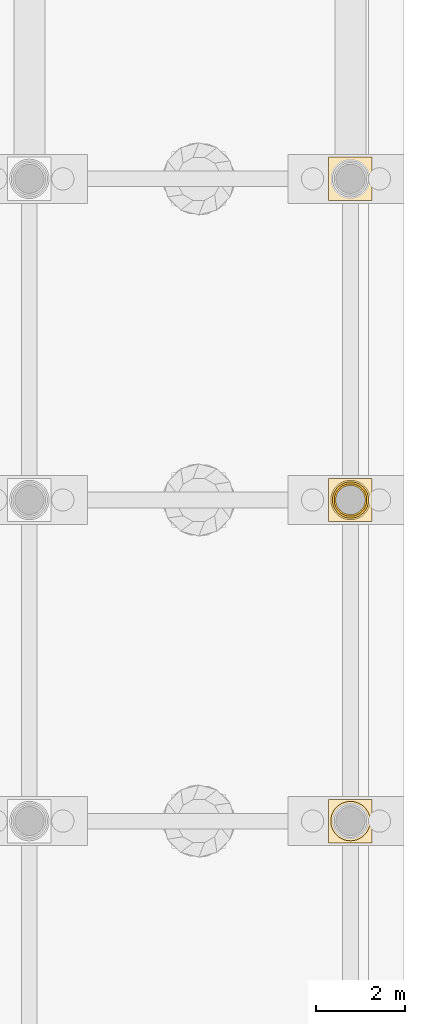
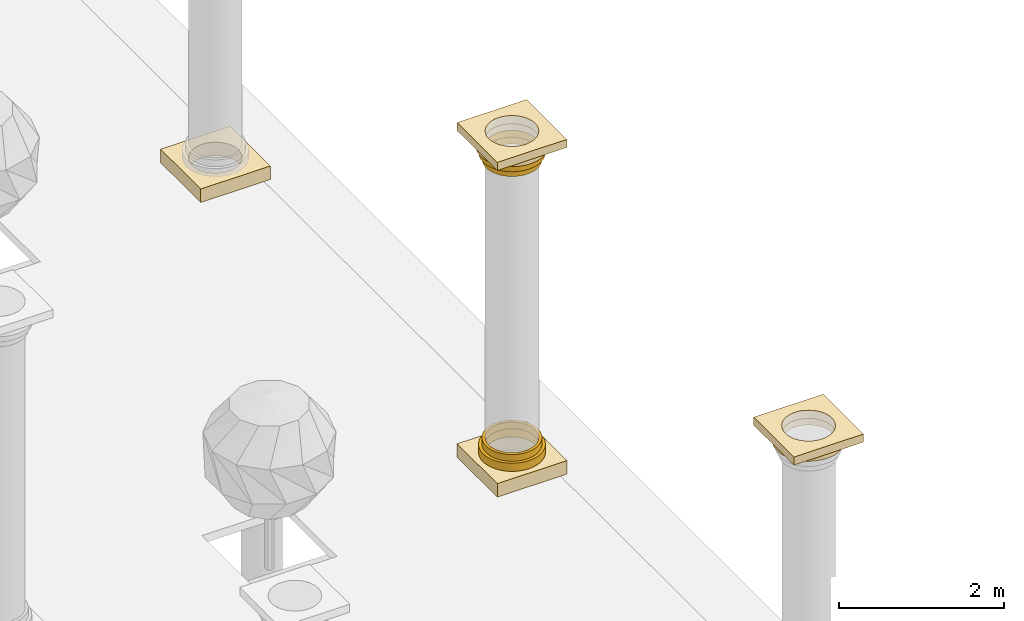
# One storey, part 68 of 80: 10 coverings.
"""IFC4 building model written with IfcOpenShell, lengths in metres."""

import ifcopenshell
import ifcopenshell.guid

model = None  # the IFC model being written
_history = None  # IfcOwnerHistory: only IFC2X3 demands one
_inside = {}  # id of a spatial element -> (the spatial element, [elements in it])
_under = {}  # id of a project, library or spatial element -> (it, [spatial elements below it])
_declared = {}  # id of a project -> (the project, [libraries it declares])
_typed = {}  # id of a type object -> (the type object, [elements of that type])
_made_of = {}  # id of a material, layer set ... -> (it, [elements and type objects made of it])


def new_model(schema):
    """Start an empty IFC model of exactly this schema.

    Asked for "IFC4X3", IfcOpenShell would pick the latest addendum, in which some entities
    have other attributes; the version numbers below select the first issue.
    IFC2X3 requires an IfcOwnerHistory on every rooted entity: one is made here for all.
    """
    global model, _history
    if schema == "IFC4X3":
        model = ifcopenshell.file(schema_version=(4, 3, 0, 0))
    else:
        model = ifcopenshell.file(schema=schema)
    _inside.clear()
    _under.clear()
    _declared.clear()
    _typed.clear()
    _made_of.clear()
    _history = None
    if model.schema == "IFC2X3":
        org = make("IfcOrganization", Name="unknown")
        user = make(
            "IfcPersonAndOrganization",
            ThePerson=make("IfcPerson", FamilyName="unknown"),
            TheOrganization=org,
        )
        app = make(
            "IfcApplication",
            ApplicationDeveloper=org,
            Version="unknown",
            ApplicationFullName="unknown",
            ApplicationIdentifier="unknown",
        )
        _history = make(
            "IfcOwnerHistory",
            OwningUser=user,
            OwningApplication=app,
            ChangeAction="ADDED",
            CreationDate=0,
        )
    return model


def make(cls, **values):
    """One entity of the class cls with the attributes given. An attribute that is None is left unset."""
    return model.create_entity(
        cls, **{name: value for name, value in values.items() if value is not None}
    )


def rooted(cls, **values):
    """An entity with a GlobalId (a new one), such as an element, a storey or a relation."""
    return make(cls, GlobalId=ifcopenshell.guid.new(), OwnerHistory=_history, **values)


def si_unit(unit_type, name, prefix=None):
    """IfcSIUnit, for example si_unit("LENGTHUNIT", "METRE", prefix="MILLI")."""
    return make("IfcSIUnit", UnitType=unit_type, Prefix=prefix, Name=name)


def assignment(units):
    """IfcUnitAssignment: the units of a project."""
    return None if units is None else make("IfcUnitAssignment", Units=units)


def point(xyz):
    """IfcCartesianPoint."""
    return None if xyz is None else make("IfcCartesianPoint", Coordinates=xyz)


def direction(xyz):
    """IfcDirection."""
    return None if xyz is None else make("IfcDirection", DirectionRatios=xyz)


def frame(location, z_axis=None, x_axis=None):
    """IfcAxis2Placement3D, a coordinate frame: its origin and axes. An axis left out is left unset."""
    return make(
        "IfcAxis2Placement3D",
        Location=point(location),
        Axis=direction(z_axis),
        RefDirection=direction(x_axis),
    )


def origin():
    """The frame at (0, 0, 0) with its axes left unset."""
    return frame((0.0, 0.0, 0.0))


def place(relative_to, where):
    """IfcLocalPlacement: puts the frame where relative to a parent placement (None: the world)."""
    return make(
        "IfcLocalPlacement", PlacementRelTo=relative_to, RelativePlacement=where
    )


def context(
    kind, dimensions, precision=None, world=None, true_north=None, identifier=None
):
    """IfcGeometricRepresentationContext, for example the 3D "Model" context."""
    return make(
        "IfcGeometricRepresentationContext",
        ContextIdentifier=identifier,
        ContextType=kind,
        CoordinateSpaceDimension=dimensions,
        Precision=precision,
        WorldCoordinateSystem=world,
        TrueNorth=true_north,
    )


def subcontext(parent, identifier, kind, view, scale=None):
    """IfcGeometricRepresentationSubContext, for example "Body" below "Model"."""
    return make(
        "IfcGeometricRepresentationSubContext",
        ContextIdentifier=identifier,
        ContextType=kind,
        ParentContext=parent,
        TargetScale=scale,
        TargetView=view,
    )


def project(units=None, contexts=None):
    """IfcProject with its units and contexts."""
    return rooted(
        "IfcProject",
        Name="project",
        RepresentationContexts=contexts,
        UnitsInContext=assignment(units),
    )


def spatial(cls, under=None, at=None, **own):
    """A site, building, storey or space (cls), placed at a placement, below another one or the project."""
    s = rooted(cls, ObjectPlacement=at, **own)
    if under is not None:
        _under.setdefault(under.id(), (under, []))[1].append(s)
    return s


def polyline(points):
    """IfcPolyline through the points."""
    return make("IfcPolyline", Points=[point(p) for p in points])


def outline(outer, holes=None, kind="AREA"):
    """IfcArbitraryClosedProfileDef: a profile drawn as a closed curve; with holes, ...WithVoids."""
    if holes is None:
        return make("IfcArbitraryClosedProfileDef", ProfileType=kind, OuterCurve=outer)
    return make(
        "IfcArbitraryProfileDefWithVoids",
        ProfileType=kind,
        OuterCurve=outer,
        InnerCurves=holes,
    )


def extrude(swept, where, along, depth):
    """IfcExtrudedAreaSolid: the profile swept, set in the frame where, extruded along a direction by depth."""
    return make(
        "IfcExtrudedAreaSolid",
        SweptArea=swept,
        Position=where,
        ExtrudedDirection=direction(along),
        Depth=depth,
    )


def shape(context_of_items, identifier, shape_type, items):
    """IfcShapeRepresentation: the items that make up one representation, for example the "Body"."""
    return make(
        "IfcShapeRepresentation",
        ContextOfItems=context_of_items,
        RepresentationIdentifier=identifier,
        RepresentationType=shape_type,
        Items=items,
    )


def material(Name=None, Category=None):
    """IfcMaterial."""
    return make("IfcMaterial", Name=Name, Category=Category)


def made_of(thing, what):
    """Note that an element or type object is made of a material, layer set ...; save() writes the relation."""
    if what is not None:
        _made_of.setdefault(what.id(), (what, []))[1].append(thing)
    return thing


def type_object(cls, material=None, **own):
    """A type object (cls), such as IfcWallType, which elements share."""
    return made_of(rooted(cls, **own), material)


def element(
    cls,
    number,
    at=None,
    inside=None,
    cuts=None,
    type_object=None,
    material=None,
    context=None,
    identifier="Body",
    shape_type=None,
    held_by="IfcProductDefinitionShape",
    body=None,
    shapes=None,
    **own,
):
    """One element of the class cls, such as IfcWall. Its Tag is "e" and its number.

    at: its placement. inside: the storey or other place that contains it. cuts: it is an
    opening in that element (IfcRelVoidsElement). A single representation is given by context,
    identifier, shape_type and body (its items); several are given by shapes. held_by: the class
    of the entity that holds the representations. save() writes the other relations.
    """
    e = rooted(cls, Tag="e%d" % number, ObjectPlacement=at, **own)
    if body is not None:
        shapes = [shape(context, identifier, shape_type, body)]
    if shapes is not None:
        e.Representation = make(held_by, Representations=shapes)
    if inside is not None:
        _inside.setdefault(inside.id(), (inside, []))[1].append(e)
    if cuts is not None:
        rooted(
            "IfcRelVoidsElement", RelatingBuildingElement=cuts, RelatedOpeningElement=e
        )
    if type_object is not None:
        _typed.setdefault(type_object.id(), (type_object, []))[1].append(e)
    return made_of(e, material)


def aggregate(whole, parts):
    """IfcRelAggregates: a whole, such as a stair, and the parts it consists of."""
    return rooted("IfcRelAggregates", RelatingObject=whole, RelatedObjects=parts)


def save(model, path):
    """Write the relations noted so far, then the file.

    IfcRelAggregates (storeys below a building ...), IfcRelContainedInSpatialStructure (elements
    in a storey), IfcRelDefinesByType, IfcRelAssociatesMaterial and IfcRelDeclares: one each for
    every whole, place, type object, material and project.
    """
    for whole, parts in _under.values():
        aggregate(whole, parts)
    for where, things in _inside.values():
        rooted(
            "IfcRelContainedInSpatialStructure",
            RelatedElements=things,
            RelatingStructure=where,
        )
    for kind, things in _typed.values():
        rooted("IfcRelDefinesByType", RelatedObjects=things, RelatingType=kind)
    for what, things in _made_of.values():
        rooted("IfcRelAssociatesMaterial", RelatedObjects=things, RelatingMaterial=what)
    for by, libraries in _declared.values():
        rooted("IfcRelDeclares", RelatingContext=by, RelatedDefinitions=libraries)
    model.write(path)


model = new_model("IFC4")

# Units and contexts
model_context = context("Model", 3, precision=1e-05, world=origin(), true_north=direction((0.0, 1.0)))
body_context = subcontext(model_context, "Body", "Model", "MODEL_VIEW")
ifc_project = project(units=[si_unit("LENGTHUNIT", "METRE"), si_unit("AREAUNIT", "SQUARE_METRE"), si_unit("VOLUMEUNIT", "CUBIC_METRE"), si_unit("PLANEANGLEUNIT", "RADIAN"), si_unit("MASSUNIT", "GRAM", prefix="KILO")], contexts=[model_context])

# Site, building, storey
site_placement = place(None, origin())
site = spatial("IfcSite", under=ifc_project, at=site_placement, CompositionType="ELEMENT")
building_placement = place(site_placement, origin())
building = spatial("IfcBuilding", under=site, at=building_placement, Name="Ussher Court Research Institute", CompositionType="ELEMENT")
storey_placement = place(building_placement, origin())
storey = spatial("IfcBuildingStorey", under=building, at=storey_placement, Name="L00", CompositionType="ELEMENT", Elevation=0.0)

# Coverings
ifc_material_1 = material(Name="Limestone cornice", Category="masonry")
covering_type_1 = type_object("IfcCoveringType", Name="Column abacus 650 975x120", PredefinedType="CLADDING", material=ifc_material_1)
covering_1_placement = place(storey_placement, frame((0.0, 0.0, 4.840087890625)))
element("IfcCovering", 1, at=covering_1_placement, inside=storey, type_object=covering_type_1, Name="Column capital CC26", PredefinedType="CLADDING", context=body_context, shape_type="SweptSolid", body=[
    extrude(outline(polyline([(104.28759765625, 46.71240234375), (104.28759765625, 47.6875), (103.3125, 47.6875), (103.3125, 46.71240234375), (104.28759765625, 46.71240234375)]), holes=[polyline([(104.125732421875, 47.199951171875), (104.122802734375, 47.242431640625), (104.114501953125, 47.2841796875), (104.100830078125, 47.32470703125), (104.08203125, 47.36279296875), (104.058349609375, 47.398193359375), (104.0302734375, 47.430419921875), (103.998291015625, 47.45849609375), (103.962890625, 47.482177734375), (103.924560546875, 47.5009765625), (103.88427734375, 47.5146484375), (103.842529296875, 47.52294921875), (103.800048828125, 47.525634765625), (103.757568359375, 47.52294921875), (103.7158203125, 47.5146484375), (103.67529296875, 47.5009765625), (103.63720703125, 47.482177734375), (103.601806640625, 47.45849609375), (103.569580078125, 47.430419921875), (103.54150390625, 47.398193359375), (103.517822265625, 47.36279296875), (103.4990234375, 47.32470703125), (103.4853515625, 47.2841796875), (103.47705078125, 47.242431640625), (103.474365234375, 47.199951171875), (103.47705078125, 47.157470703125), (103.4853515625, 47.11572265625), (103.4990234375, 47.075439453125), (103.517822265625, 47.037109375), (103.54150390625, 47.001708984375), (103.569580078125, 46.9697265625), (103.601806640625, 46.941650390625), (103.63720703125, 46.91796875), (103.67529296875, 46.899169921875), (103.7158203125, 46.885498046875), (103.757568359375, 46.877197265625), (103.800048828125, 46.874267578125), (103.842529296875, 46.877197265625), (103.88427734375, 46.885498046875), (103.924560546875, 46.899169921875), (103.962890625, 46.91796875), (103.998291015625, 46.941650390625), (104.0302734375, 46.9697265625), (104.058349609375, 47.001708984375), (104.08203125, 47.037109375), (104.100830078125, 47.075439453125), (104.114501953125, 47.11572265625), (104.122802734375, 47.157470703125), (104.125732421875, 47.199951171875)])]), origin(), (0.0, 0.0, 1.0), 0.119873046875),
])
covering_2_placement = place(storey_placement, frame((0.0, 0.0, 4.840087890625)))
element("IfcCovering", 2, at=covering_2_placement, inside=storey, type_object=covering_type_1, Name="Column capital CC26", PredefinedType="CLADDING", context=body_context, shape_type="SweptSolid", body=[
    extrude(outline(polyline([(104.28759765625, 53.91259765625), (104.28759765625, 54.887451171875), (103.3125, 54.887451171875), (103.3125, 53.91259765625), (104.28759765625, 53.91259765625)]), holes=[polyline([(104.125732421875, 54.39990234375), (104.122802734375, 54.4423828125), (104.114501953125, 54.484375), (104.100830078125, 54.524658203125), (104.08203125, 54.562744140625), (104.058349609375, 54.598388671875), (104.0302734375, 54.63037109375), (103.998291015625, 54.658447265625), (103.962890625, 54.68212890625), (103.924560546875, 54.700927734375), (103.88427734375, 54.714599609375), (103.842529296875, 54.722900390625), (103.800048828125, 54.7255859375), (103.757568359375, 54.722900390625), (103.7158203125, 54.714599609375), (103.67529296875, 54.700927734375), (103.63720703125, 54.68212890625), (103.601806640625, 54.658447265625), (103.569580078125, 54.63037109375), (103.54150390625, 54.598388671875), (103.517822265625, 54.562744140625), (103.4990234375, 54.524658203125), (103.4853515625, 54.484375), (103.47705078125, 54.4423828125), (103.474365234375, 54.39990234375), (103.47705078125, 54.357421875), (103.4853515625, 54.315673828125), (103.4990234375, 54.275390625), (103.517822265625, 54.2373046875), (103.54150390625, 54.20166015625), (103.569580078125, 54.169677734375), (103.601806640625, 54.1416015625), (103.63720703125, 54.117919921875), (103.67529296875, 54.09912109375), (103.7158203125, 54.08544921875), (103.757568359375, 54.0771484375), (103.800048828125, 54.07421875), (103.842529296875, 54.0771484375), (103.88427734375, 54.08544921875), (103.924560546875, 54.09912109375), (103.962890625, 54.117919921875), (103.998291015625, 54.1416015625), (104.0302734375, 54.169677734375), (104.058349609375, 54.20166015625), (104.08203125, 54.2373046875), (104.100830078125, 54.275390625), (104.114501953125, 54.315673828125), (104.122802734375, 54.357421875), (104.125732421875, 54.39990234375)])]), origin(), (0.0, 0.0, 1.0), 0.119873046875),
])
ifc_material_2 = material(Name="Limestone cornice", Category="masonry")
covering_type_2 = type_object("IfcCoveringType", Name="Column base fillet 650 728x100", PredefinedType="CLADDING", material=ifc_material_2)
covering_3_placement = place(storey_placement, frame((0.0, 0.0, 0.320068359375)))
element("IfcCovering", 3, at=covering_3_placement, inside=storey, type_object=covering_type_2, Name="Column base CC22", PredefinedType="CLADDING", context=body_context, shape_type="SweptSolid", body=[
    extrude(outline(polyline([(104.1640625, 54.39990234375), (104.160888671875, 54.447509765625), (104.151611328125, 54.494140625), (104.13623046875, 54.539306640625), (104.115234375, 54.58203125), (104.0888671875, 54.62158203125), (104.057373046875, 54.657470703125), (104.021484375, 54.688720703125), (103.98193359375, 54.715087890625), (103.939208984375, 54.736328125), (103.894287109375, 54.751708984375), (103.847412109375, 54.760986328125), (103.800048828125, 54.763916015625), (103.75244140625, 54.760986328125), (103.705810546875, 54.751708984375), (103.66064453125, 54.736328125), (103.617919921875, 54.715087890625), (103.578369140625, 54.688720703125), (103.54248046875, 54.657470703125), (103.51123046875, 54.62158203125), (103.48486328125, 54.58203125), (103.463623046875, 54.539306640625), (103.448486328125, 54.494140625), (103.439208984375, 54.447509765625), (103.43603515625, 54.39990234375), (103.439208984375, 54.3525390625), (103.448486328125, 54.305908203125), (103.463623046875, 54.2607421875), (103.48486328125, 54.218017578125), (103.51123046875, 54.178466796875), (103.54248046875, 54.142578125), (103.578369140625, 54.111083984375), (103.617919921875, 54.084716796875), (103.66064453125, 54.063720703125), (103.705810546875, 54.04833984375), (103.75244140625, 54.0390625), (103.800048828125, 54.035888671875), (103.847412109375, 54.0390625), (103.894287109375, 54.04833984375), (103.939208984375, 54.063720703125), (103.98193359375, 54.084716796875), (104.021484375, 54.111083984375), (104.057373046875, 54.142578125), (104.0888671875, 54.178466796875), (104.115234375, 54.218017578125), (104.13623046875, 54.2607421875), (104.151611328125, 54.305908203125), (104.160888671875, 54.3525390625), (104.1640625, 54.39990234375)]), holes=[polyline([(104.125732421875, 54.39990234375), (104.122802734375, 54.4423828125), (104.114501953125, 54.484375), (104.100830078125, 54.524658203125), (104.08203125, 54.562744140625), (104.058349609375, 54.598388671875), (104.0302734375, 54.63037109375), (103.998291015625, 54.658447265625), (103.962890625, 54.68212890625), (103.924560546875, 54.700927734375), (103.88427734375, 54.714599609375), (103.842529296875, 54.722900390625), (103.800048828125, 54.7255859375), (103.757568359375, 54.722900390625), (103.7158203125, 54.714599609375), (103.67529296875, 54.700927734375), (103.63720703125, 54.68212890625), (103.601806640625, 54.658447265625), (103.569580078125, 54.63037109375), (103.54150390625, 54.598388671875), (103.517822265625, 54.562744140625), (103.4990234375, 54.524658203125), (103.4853515625, 54.484375), (103.47705078125, 54.4423828125), (103.474365234375, 54.39990234375), (103.47705078125, 54.357421875), (103.4853515625, 54.315673828125), (103.4990234375, 54.275390625), (103.517822265625, 54.2373046875), (103.54150390625, 54.20166015625), (103.569580078125, 54.169677734375), (103.601806640625, 54.1416015625), (103.63720703125, 54.117919921875), (103.67529296875, 54.09912109375), (103.7158203125, 54.08544921875), (103.757568359375, 54.0771484375), (103.800048828125, 54.07421875), (103.842529296875, 54.0771484375), (103.88427734375, 54.08544921875), (103.924560546875, 54.09912109375), (103.962890625, 54.117919921875), (103.998291015625, 54.1416015625), (104.0302734375, 54.169677734375), (104.058349609375, 54.20166015625), (104.08203125, 54.2373046875), (104.100830078125, 54.275390625), (104.114501953125, 54.315673828125), (104.122802734375, 54.357421875), (104.125732421875, 54.39990234375)])]), origin(), (0.0, 0.0, 1.0), 0.099853515625),
])
ifc_material_3 = material(Name="Limestone cornice", Category="masonry")
covering_type_3 = type_object("IfcCoveringType", Name="Column base torus 650 812x120", PredefinedType="CLADDING", material=ifc_material_3)
covering_4_placement = place(storey_placement, frame((0.0, 0.0, 0.199951171875)))
element("IfcCovering", 4, at=covering_4_placement, inside=storey, type_object=covering_type_3, Name="Column base CC21", PredefinedType="CLADDING", context=body_context, shape_type="SweptSolid", body=[
    extrude(outline(polyline([(104.206298828125, 54.39990234375), (104.20263671875, 54.452880859375), (104.1923828125, 54.505126953125), (104.17529296875, 54.555419921875), (104.15185546875, 54.60302734375), (104.122314453125, 54.647216796875), (104.087158203125, 54.687255859375), (104.04736328125, 54.722412109375), (104.003173828125, 54.751708984375), (103.955322265625, 54.775390625), (103.905029296875, 54.79248046875), (103.85302734375, 54.802734375), (103.800048828125, 54.80615234375), (103.7470703125, 54.802734375), (103.69482421875, 54.79248046875), (103.64453125, 54.775390625), (103.596923828125, 54.751708984375), (103.552734375, 54.722412109375), (103.5126953125, 54.687255859375), (103.477783203125, 54.647216796875), (103.4482421875, 54.60302734375), (103.4248046875, 54.555419921875), (103.40771484375, 54.505126953125), (103.397216796875, 54.452880859375), (103.393798828125, 54.39990234375), (103.397216796875, 54.346923828125), (103.40771484375, 54.294921875), (103.4248046875, 54.24462890625), (103.4482421875, 54.197021484375), (103.477783203125, 54.152587890625), (103.5126953125, 54.11279296875), (103.552734375, 54.07763671875), (103.596923828125, 54.048095703125), (103.64453125, 54.024658203125), (103.69482421875, 54.007568359375), (103.7470703125, 53.997314453125), (103.800048828125, 53.993896484375), (103.85302734375, 53.997314453125), (103.905029296875, 54.007568359375), (103.955322265625, 54.024658203125), (104.003173828125, 54.048095703125), (104.04736328125, 54.07763671875), (104.087158203125, 54.11279296875), (104.122314453125, 54.152587890625), (104.15185546875, 54.197021484375), (104.17529296875, 54.24462890625), (104.1923828125, 54.294921875), (104.20263671875, 54.346923828125), (104.206298828125, 54.39990234375)]), holes=[polyline([(104.125732421875, 54.39990234375), (104.122802734375, 54.4423828125), (104.114501953125, 54.484375), (104.100830078125, 54.524658203125), (104.08203125, 54.562744140625), (104.058349609375, 54.598388671875), (104.0302734375, 54.63037109375), (103.998291015625, 54.658447265625), (103.962890625, 54.68212890625), (103.924560546875, 54.700927734375), (103.88427734375, 54.714599609375), (103.842529296875, 54.722900390625), (103.800048828125, 54.7255859375), (103.757568359375, 54.722900390625), (103.7158203125, 54.714599609375), (103.67529296875, 54.700927734375), (103.63720703125, 54.68212890625), (103.601806640625, 54.658447265625), (103.569580078125, 54.63037109375), (103.54150390625, 54.598388671875), (103.517822265625, 54.562744140625), (103.4990234375, 54.524658203125), (103.4853515625, 54.484375), (103.47705078125, 54.4423828125), (103.474365234375, 54.39990234375), (103.47705078125, 54.357421875), (103.4853515625, 54.315673828125), (103.4990234375, 54.275390625), (103.517822265625, 54.2373046875), (103.54150390625, 54.20166015625), (103.569580078125, 54.169677734375), (103.601806640625, 54.1416015625), (103.63720703125, 54.117919921875), (103.67529296875, 54.09912109375), (103.7158203125, 54.08544921875), (103.757568359375, 54.0771484375), (103.800048828125, 54.07421875), (103.842529296875, 54.0771484375), (103.88427734375, 54.08544921875), (103.924560546875, 54.09912109375), (103.962890625, 54.117919921875), (103.998291015625, 54.1416015625), (104.0302734375, 54.169677734375), (104.058349609375, 54.20166015625), (104.08203125, 54.2373046875), (104.100830078125, 54.275390625), (104.114501953125, 54.315673828125), (104.122802734375, 54.357421875), (104.125732421875, 54.39990234375)])]), origin(), (0.0, 0.0, 1.0), 0.1201171875),
])
ifc_material_4 = material(Name="Limestone cornice", Category="masonry")
covering_type_4 = type_object("IfcCoveringType", Name="Column capital echinus 650 812x100", PredefinedType="CLADDING", material=ifc_material_4)
covering_5_placement = place(storey_placement, frame((0.0, 0.0, 4.639892578125)))
element("IfcCovering", 5, at=covering_5_placement, inside=storey, type_object=covering_type_4, Name="Column capital CC24", PredefinedType="CLADDING", context=body_context, shape_type="SweptSolid", body=[
    extrude(outline(polyline([(104.206298828125, 54.39990234375), (104.20263671875, 54.452880859375), (104.1923828125, 54.505126953125), (104.17529296875, 54.555419921875), (104.15185546875, 54.60302734375), (104.122314453125, 54.647216796875), (104.087158203125, 54.687255859375), (104.04736328125, 54.722412109375), (104.003173828125, 54.751708984375), (103.955322265625, 54.775390625), (103.905029296875, 54.79248046875), (103.85302734375, 54.802734375), (103.800048828125, 54.80615234375), (103.7470703125, 54.802734375), (103.69482421875, 54.79248046875), (103.64453125, 54.775390625), (103.596923828125, 54.751708984375), (103.552734375, 54.722412109375), (103.5126953125, 54.687255859375), (103.477783203125, 54.647216796875), (103.4482421875, 54.60302734375), (103.4248046875, 54.555419921875), (103.40771484375, 54.505126953125), (103.397216796875, 54.452880859375), (103.393798828125, 54.39990234375), (103.397216796875, 54.346923828125), (103.40771484375, 54.294921875), (103.4248046875, 54.24462890625), (103.4482421875, 54.197021484375), (103.477783203125, 54.152587890625), (103.5126953125, 54.11279296875), (103.552734375, 54.07763671875), (103.596923828125, 54.048095703125), (103.64453125, 54.024658203125), (103.69482421875, 54.007568359375), (103.7470703125, 53.997314453125), (103.800048828125, 53.993896484375), (103.85302734375, 53.997314453125), (103.905029296875, 54.007568359375), (103.955322265625, 54.024658203125), (104.003173828125, 54.048095703125), (104.04736328125, 54.07763671875), (104.087158203125, 54.11279296875), (104.122314453125, 54.152587890625), (104.15185546875, 54.197021484375), (104.17529296875, 54.24462890625), (104.1923828125, 54.294921875), (104.20263671875, 54.346923828125), (104.206298828125, 54.39990234375)]), holes=[polyline([(104.125732421875, 54.39990234375), (104.122802734375, 54.4423828125), (104.114501953125, 54.484375), (104.100830078125, 54.524658203125), (104.08203125, 54.562744140625), (104.058349609375, 54.598388671875), (104.0302734375, 54.63037109375), (103.998291015625, 54.658447265625), (103.962890625, 54.68212890625), (103.924560546875, 54.700927734375), (103.88427734375, 54.714599609375), (103.842529296875, 54.722900390625), (103.800048828125, 54.7255859375), (103.757568359375, 54.722900390625), (103.7158203125, 54.714599609375), (103.67529296875, 54.700927734375), (103.63720703125, 54.68212890625), (103.601806640625, 54.658447265625), (103.569580078125, 54.63037109375), (103.54150390625, 54.598388671875), (103.517822265625, 54.562744140625), (103.4990234375, 54.524658203125), (103.4853515625, 54.484375), (103.47705078125, 54.4423828125), (103.474365234375, 54.39990234375), (103.47705078125, 54.357421875), (103.4853515625, 54.315673828125), (103.4990234375, 54.275390625), (103.517822265625, 54.2373046875), (103.54150390625, 54.20166015625), (103.569580078125, 54.169677734375), (103.601806640625, 54.1416015625), (103.63720703125, 54.117919921875), (103.67529296875, 54.09912109375), (103.7158203125, 54.08544921875), (103.757568359375, 54.0771484375), (103.800048828125, 54.07421875), (103.842529296875, 54.0771484375), (103.88427734375, 54.08544921875), (103.924560546875, 54.09912109375), (103.962890625, 54.117919921875), (103.998291015625, 54.1416015625), (104.0302734375, 54.169677734375), (104.058349609375, 54.20166015625), (104.08203125, 54.2373046875), (104.100830078125, 54.275390625), (104.114501953125, 54.315673828125), (104.122802734375, 54.357421875), (104.125732421875, 54.39990234375)])]), origin(), (0.0, 0.0, 1.0), 0.10009765625),
])
ifc_material_5 = material(Name="Limestone cornice", Category="masonry")
covering_type_5 = type_object("IfcCoveringType", Name="Column capital neck 650 728x100", PredefinedType="CLADDING", material=ifc_material_5)
covering_6_placement = place(storey_placement, frame((0.0, 0.0, 4.5400390625)))
element("IfcCovering", 6, at=covering_6_placement, inside=storey, type_object=covering_type_5, Name="Column capital CC23", PredefinedType="CLADDING", context=body_context, shape_type="SweptSolid", body=[
    extrude(outline(polyline([(104.1640625, 54.39990234375), (104.160888671875, 54.447509765625), (104.151611328125, 54.494140625), (104.13623046875, 54.539306640625), (104.115234375, 54.58203125), (104.0888671875, 54.62158203125), (104.057373046875, 54.657470703125), (104.021484375, 54.688720703125), (103.98193359375, 54.715087890625), (103.939208984375, 54.736328125), (103.894287109375, 54.751708984375), (103.847412109375, 54.760986328125), (103.800048828125, 54.763916015625), (103.75244140625, 54.760986328125), (103.705810546875, 54.751708984375), (103.66064453125, 54.736328125), (103.617919921875, 54.715087890625), (103.578369140625, 54.688720703125), (103.54248046875, 54.657470703125), (103.51123046875, 54.62158203125), (103.48486328125, 54.58203125), (103.463623046875, 54.539306640625), (103.448486328125, 54.494140625), (103.439208984375, 54.447509765625), (103.43603515625, 54.39990234375), (103.439208984375, 54.3525390625), (103.448486328125, 54.305908203125), (103.463623046875, 54.2607421875), (103.48486328125, 54.218017578125), (103.51123046875, 54.178466796875), (103.54248046875, 54.142578125), (103.578369140625, 54.111083984375), (103.617919921875, 54.084716796875), (103.66064453125, 54.063720703125), (103.705810546875, 54.04833984375), (103.75244140625, 54.0390625), (103.800048828125, 54.035888671875), (103.847412109375, 54.0390625), (103.894287109375, 54.04833984375), (103.939208984375, 54.063720703125), (103.98193359375, 54.084716796875), (104.021484375, 54.111083984375), (104.057373046875, 54.142578125), (104.0888671875, 54.178466796875), (104.115234375, 54.218017578125), (104.13623046875, 54.2607421875), (104.151611328125, 54.305908203125), (104.160888671875, 54.3525390625), (104.1640625, 54.39990234375)]), holes=[polyline([(104.125732421875, 54.39990234375), (104.122802734375, 54.4423828125), (104.114501953125, 54.484375), (104.100830078125, 54.524658203125), (104.08203125, 54.562744140625), (104.058349609375, 54.598388671875), (104.0302734375, 54.63037109375), (103.998291015625, 54.658447265625), (103.962890625, 54.68212890625), (103.924560546875, 54.700927734375), (103.88427734375, 54.714599609375), (103.842529296875, 54.722900390625), (103.800048828125, 54.7255859375), (103.757568359375, 54.722900390625), (103.7158203125, 54.714599609375), (103.67529296875, 54.700927734375), (103.63720703125, 54.68212890625), (103.601806640625, 54.658447265625), (103.569580078125, 54.63037109375), (103.54150390625, 54.598388671875), (103.517822265625, 54.562744140625), (103.4990234375, 54.524658203125), (103.4853515625, 54.484375), (103.47705078125, 54.4423828125), (103.474365234375, 54.39990234375), (103.47705078125, 54.357421875), (103.4853515625, 54.315673828125), (103.4990234375, 54.275390625), (103.517822265625, 54.2373046875), (103.54150390625, 54.20166015625), (103.569580078125, 54.169677734375), (103.601806640625, 54.1416015625), (103.63720703125, 54.117919921875), (103.67529296875, 54.09912109375), (103.7158203125, 54.08544921875), (103.757568359375, 54.0771484375), (103.800048828125, 54.07421875), (103.842529296875, 54.0771484375), (103.88427734375, 54.08544921875), (103.924560546875, 54.09912109375), (103.962890625, 54.117919921875), (103.998291015625, 54.1416015625), (104.0302734375, 54.169677734375), (104.058349609375, 54.20166015625), (104.08203125, 54.2373046875), (104.100830078125, 54.275390625), (104.114501953125, 54.315673828125), (104.122802734375, 54.357421875), (104.125732421875, 54.39990234375)])]), origin(), (0.0, 0.0, 1.0), 0.099853515625),
])
ifc_material_6 = material(Name="Limestone cornice", Category="masonry")
covering_type_6 = type_object("IfcCoveringType", Name="Column capital ovolo 650 884x100", PredefinedType="CLADDING", material=ifc_material_6)
covering_7_placement = place(storey_placement, frame((0.0, 0.0, 4.739990234375)))
element("IfcCovering", 7, at=covering_7_placement, inside=storey, type_object=covering_type_6, Name="Column capital CC25", PredefinedType="CLADDING", context=body_context, shape_type="SweptSolid", body=[
    extrude(outline(polyline([(104.241943359375, 47.199951171875), (104.23828125, 47.2578125), (104.226806640625, 47.314453125), (104.20849609375, 47.369140625), (104.182861328125, 47.4208984375), (104.150634765625, 47.468994140625), (104.112548828125, 47.512451171875), (104.069091796875, 47.55078125), (104.02099609375, 47.582763671875), (103.968994140625, 47.6083984375), (103.914306640625, 47.626953125), (103.857666015625, 47.63818359375), (103.800048828125, 47.64208984375), (103.7421875, 47.63818359375), (103.685546875, 47.626953125), (103.630859375, 47.6083984375), (103.5791015625, 47.582763671875), (103.531005859375, 47.55078125), (103.487548828125, 47.512451171875), (103.44921875, 47.468994140625), (103.417236328125, 47.4208984375), (103.3916015625, 47.369140625), (103.373046875, 47.314453125), (103.36181640625, 47.2578125), (103.35791015625, 47.199951171875), (103.36181640625, 47.142333984375), (103.373046875, 47.085693359375), (103.3916015625, 47.031005859375), (103.417236328125, 46.97900390625), (103.44921875, 46.930908203125), (103.487548828125, 46.887451171875), (103.531005859375, 46.849365234375), (103.5791015625, 46.817138671875), (103.630859375, 46.79150390625), (103.685546875, 46.773193359375), (103.7421875, 46.76171875), (103.800048828125, 46.758056640625), (103.857666015625, 46.76171875), (103.914306640625, 46.773193359375), (103.968994140625, 46.79150390625), (104.02099609375, 46.817138671875), (104.069091796875, 46.849365234375), (104.112548828125, 46.887451171875), (104.150634765625, 46.930908203125), (104.182861328125, 46.97900390625), (104.20849609375, 47.031005859375), (104.226806640625, 47.085693359375), (104.23828125, 47.142333984375), (104.241943359375, 47.199951171875)]), holes=[polyline([(104.125732421875, 47.199951171875), (104.122802734375, 47.242431640625), (104.114501953125, 47.2841796875), (104.100830078125, 47.32470703125), (104.08203125, 47.36279296875), (104.058349609375, 47.398193359375), (104.0302734375, 47.430419921875), (103.998291015625, 47.45849609375), (103.962890625, 47.482177734375), (103.924560546875, 47.5009765625), (103.88427734375, 47.5146484375), (103.842529296875, 47.52294921875), (103.800048828125, 47.525634765625), (103.757568359375, 47.52294921875), (103.7158203125, 47.5146484375), (103.67529296875, 47.5009765625), (103.63720703125, 47.482177734375), (103.601806640625, 47.45849609375), (103.569580078125, 47.430419921875), (103.54150390625, 47.398193359375), (103.517822265625, 47.36279296875), (103.4990234375, 47.32470703125), (103.4853515625, 47.2841796875), (103.47705078125, 47.242431640625), (103.474365234375, 47.199951171875), (103.47705078125, 47.157470703125), (103.4853515625, 47.11572265625), (103.4990234375, 47.075439453125), (103.517822265625, 47.037109375), (103.54150390625, 47.001708984375), (103.569580078125, 46.9697265625), (103.601806640625, 46.941650390625), (103.63720703125, 46.91796875), (103.67529296875, 46.899169921875), (103.7158203125, 46.885498046875), (103.757568359375, 46.877197265625), (103.800048828125, 46.874267578125), (103.842529296875, 46.877197265625), (103.88427734375, 46.885498046875), (103.924560546875, 46.899169921875), (103.962890625, 46.91796875), (103.998291015625, 46.941650390625), (104.0302734375, 46.9697265625), (104.058349609375, 47.001708984375), (104.08203125, 47.037109375), (104.100830078125, 47.075439453125), (104.114501953125, 47.11572265625), (104.122802734375, 47.157470703125), (104.125732421875, 47.199951171875)])]), origin(), (0.0, 0.0, 1.0), 0.10009765625),
])
covering_8_placement = place(storey_placement, frame((0.0, 0.0, 4.739990234375)))
element("IfcCovering", 8, at=covering_8_placement, inside=storey, type_object=covering_type_6, Name="Column capital CC25", PredefinedType="CLADDING", context=body_context, shape_type="SweptSolid", body=[
    extrude(outline(polyline([(104.241943359375, 54.39990234375), (104.23828125, 54.457763671875), (104.226806640625, 54.514404296875), (104.20849609375, 54.569091796875), (104.182861328125, 54.62109375), (104.150634765625, 54.669189453125), (104.112548828125, 54.71240234375), (104.069091796875, 54.750732421875), (104.02099609375, 54.78271484375), (103.968994140625, 54.808349609375), (103.914306640625, 54.826904296875), (103.857666015625, 54.838134765625), (103.800048828125, 54.842041015625), (103.7421875, 54.838134765625), (103.685546875, 54.826904296875), (103.630859375, 54.808349609375), (103.5791015625, 54.78271484375), (103.531005859375, 54.750732421875), (103.487548828125, 54.71240234375), (103.44921875, 54.669189453125), (103.417236328125, 54.62109375), (103.3916015625, 54.569091796875), (103.373046875, 54.514404296875), (103.36181640625, 54.457763671875), (103.35791015625, 54.39990234375), (103.36181640625, 54.34228515625), (103.373046875, 54.28564453125), (103.3916015625, 54.23095703125), (103.417236328125, 54.178955078125), (103.44921875, 54.130859375), (103.487548828125, 54.08740234375), (103.531005859375, 54.04931640625), (103.5791015625, 54.01708984375), (103.630859375, 53.99169921875), (103.685546875, 53.97314453125), (103.7421875, 53.9619140625), (103.800048828125, 53.9580078125), (103.857666015625, 53.9619140625), (103.914306640625, 53.97314453125), (103.968994140625, 53.99169921875), (104.02099609375, 54.01708984375), (104.069091796875, 54.04931640625), (104.112548828125, 54.08740234375), (104.150634765625, 54.130859375), (104.182861328125, 54.178955078125), (104.20849609375, 54.23095703125), (104.226806640625, 54.28564453125), (104.23828125, 54.34228515625), (104.241943359375, 54.39990234375)]), holes=[polyline([(104.125732421875, 54.39990234375), (104.122802734375, 54.4423828125), (104.114501953125, 54.484375), (104.100830078125, 54.524658203125), (104.08203125, 54.562744140625), (104.058349609375, 54.598388671875), (104.0302734375, 54.63037109375), (103.998291015625, 54.658447265625), (103.962890625, 54.68212890625), (103.924560546875, 54.700927734375), (103.88427734375, 54.714599609375), (103.842529296875, 54.722900390625), (103.800048828125, 54.7255859375), (103.757568359375, 54.722900390625), (103.7158203125, 54.714599609375), (103.67529296875, 54.700927734375), (103.63720703125, 54.68212890625), (103.601806640625, 54.658447265625), (103.569580078125, 54.63037109375), (103.54150390625, 54.598388671875), (103.517822265625, 54.562744140625), (103.4990234375, 54.524658203125), (103.4853515625, 54.484375), (103.47705078125, 54.4423828125), (103.474365234375, 54.39990234375), (103.47705078125, 54.357421875), (103.4853515625, 54.315673828125), (103.4990234375, 54.275390625), (103.517822265625, 54.2373046875), (103.54150390625, 54.20166015625), (103.569580078125, 54.169677734375), (103.601806640625, 54.1416015625), (103.63720703125, 54.117919921875), (103.67529296875, 54.09912109375), (103.7158203125, 54.08544921875), (103.757568359375, 54.0771484375), (103.800048828125, 54.07421875), (103.842529296875, 54.0771484375), (103.88427734375, 54.08544921875), (103.924560546875, 54.09912109375), (103.962890625, 54.117919921875), (103.998291015625, 54.1416015625), (104.0302734375, 54.169677734375), (104.058349609375, 54.20166015625), (104.08203125, 54.2373046875), (104.100830078125, 54.275390625), (104.114501953125, 54.315673828125), (104.122802734375, 54.357421875), (104.125732421875, 54.39990234375)])]), origin(), (0.0, 0.0, 1.0), 0.10009765625),
])
ifc_material_7 = material(Name="Limestone cornice", Category="masonry")
covering_type_7 = type_object("IfcCoveringType", Name="Column plinth 650 975x200", PredefinedType="CLADDING", material=ifc_material_7)
covering_9_placement = place(storey_placement, origin())
element("IfcCovering", 9, at=covering_9_placement, inside=storey, type_object=covering_type_7, Name="Column base CC20", PredefinedType="CLADDING", context=body_context, shape_type="SweptSolid", body=[
    extrude(outline(polyline([(104.28759765625, 53.91259765625), (104.28759765625, 54.887451171875), (103.3125, 54.887451171875), (103.3125, 53.91259765625), (104.28759765625, 53.91259765625)]), holes=[polyline([(104.125732421875, 54.39990234375), (104.122802734375, 54.4423828125), (104.114501953125, 54.484375), (104.100830078125, 54.524658203125), (104.08203125, 54.562744140625), (104.058349609375, 54.598388671875), (104.0302734375, 54.63037109375), (103.998291015625, 54.658447265625), (103.962890625, 54.68212890625), (103.924560546875, 54.700927734375), (103.88427734375, 54.714599609375), (103.842529296875, 54.722900390625), (103.800048828125, 54.7255859375), (103.757568359375, 54.722900390625), (103.7158203125, 54.714599609375), (103.67529296875, 54.700927734375), (103.63720703125, 54.68212890625), (103.601806640625, 54.658447265625), (103.569580078125, 54.63037109375), (103.54150390625, 54.598388671875), (103.517822265625, 54.562744140625), (103.4990234375, 54.524658203125), (103.4853515625, 54.484375), (103.47705078125, 54.4423828125), (103.474365234375, 54.39990234375), (103.47705078125, 54.357421875), (103.4853515625, 54.315673828125), (103.4990234375, 54.275390625), (103.517822265625, 54.2373046875), (103.54150390625, 54.20166015625), (103.569580078125, 54.169677734375), (103.601806640625, 54.1416015625), (103.63720703125, 54.117919921875), (103.67529296875, 54.09912109375), (103.7158203125, 54.08544921875), (103.757568359375, 54.0771484375), (103.800048828125, 54.07421875), (103.842529296875, 54.0771484375), (103.88427734375, 54.08544921875), (103.924560546875, 54.09912109375), (103.962890625, 54.117919921875), (103.998291015625, 54.1416015625), (104.0302734375, 54.169677734375), (104.058349609375, 54.20166015625), (104.08203125, 54.2373046875), (104.100830078125, 54.275390625), (104.114501953125, 54.315673828125), (104.122802734375, 54.357421875), (104.125732421875, 54.39990234375)])]), origin(), (0.0, 0.0, 1.0), 0.199951171875),
])
covering_10_placement = place(storey_placement, origin())
element("IfcCovering", 10, at=covering_10_placement, inside=storey, type_object=covering_type_7, Name="Column base CC20", PredefinedType="CLADDING", context=body_context, shape_type="SweptSolid", body=[
    extrude(outline(polyline([(104.28759765625, 61.112548828125), (104.28759765625, 62.08740234375), (103.3125, 62.08740234375), (103.3125, 61.112548828125), (104.28759765625, 61.112548828125)]), holes=[polyline([(104.125732421875, 61.60009765625), (104.122802734375, 61.642578125), (104.114501953125, 61.684326171875), (104.100830078125, 61.724609375), (104.08203125, 61.7626953125), (104.058349609375, 61.79833984375), (104.0302734375, 61.830322265625), (103.998291015625, 61.8583984375), (103.962890625, 61.882080078125), (103.924560546875, 61.90087890625), (103.88427734375, 61.91455078125), (103.842529296875, 61.9228515625), (103.800048828125, 61.92578125), (103.757568359375, 61.9228515625), (103.7158203125, 61.91455078125), (103.67529296875, 61.90087890625), (103.63720703125, 61.882080078125), (103.601806640625, 61.8583984375), (103.569580078125, 61.830322265625), (103.54150390625, 61.79833984375), (103.517822265625, 61.7626953125), (103.4990234375, 61.724609375), (103.4853515625, 61.684326171875), (103.47705078125, 61.642578125), (103.474365234375, 61.60009765625), (103.47705078125, 61.5576171875), (103.4853515625, 61.515625), (103.4990234375, 61.475341796875), (103.517822265625, 61.437255859375), (103.54150390625, 61.401611328125), (103.569580078125, 61.36962890625), (103.601806640625, 61.341552734375), (103.63720703125, 61.31787109375), (103.67529296875, 61.299072265625), (103.7158203125, 61.285400390625), (103.757568359375, 61.277099609375), (103.800048828125, 61.2744140625), (103.842529296875, 61.277099609375), (103.88427734375, 61.285400390625), (103.924560546875, 61.299072265625), (103.962890625, 61.31787109375), (103.998291015625, 61.341552734375), (104.0302734375, 61.36962890625), (104.058349609375, 61.401611328125), (104.08203125, 61.437255859375), (104.100830078125, 61.475341796875), (104.114501953125, 61.515625), (104.122802734375, 61.5576171875), (104.125732421875, 61.60009765625)])]), origin(), (0.0, 0.0, 1.0), 0.199951171875),
])

save(model, "model.ifc")
